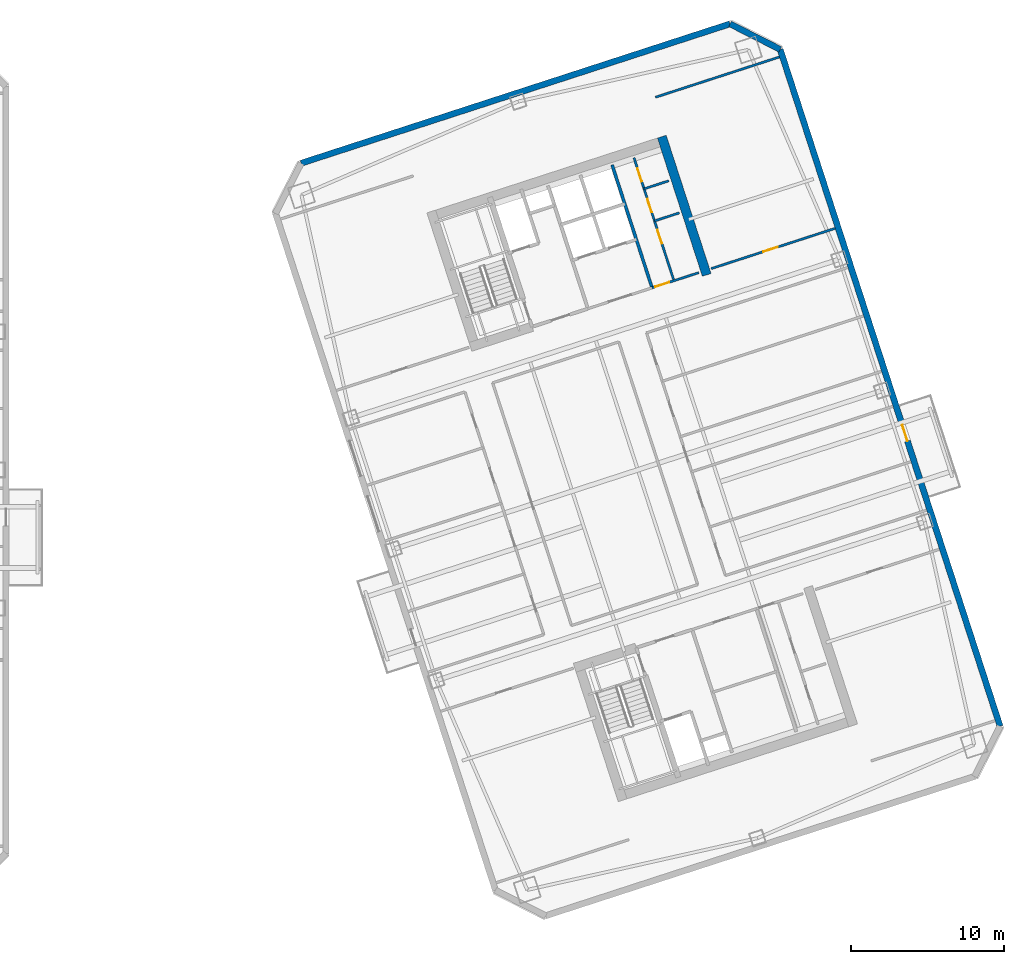
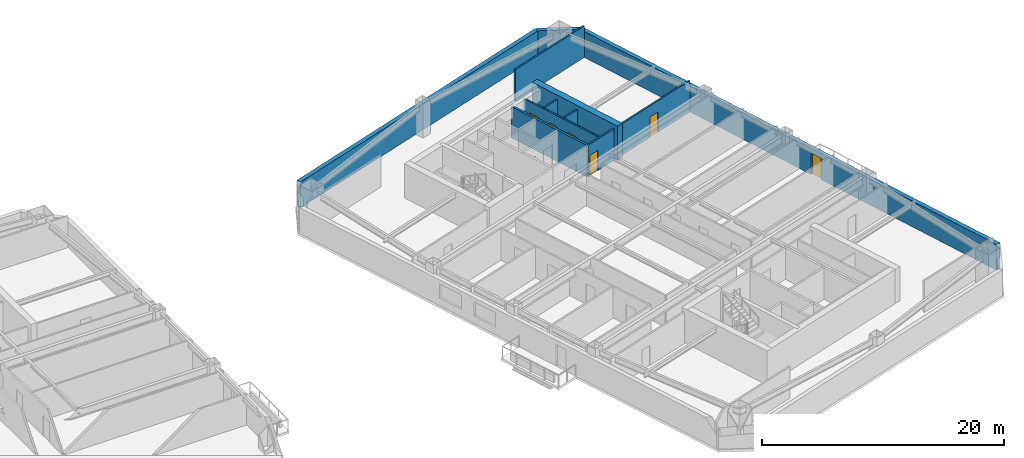
# One storey, part 9 of 14: 11 walls, 6 doors, 6 openings.
"""IFC4 building model written with IfcOpenShell, lengths in metres."""

from ifc_helpers import new_model, si_unit, direction, frame, frame_2d, origin, place, context, subcontext, project, spatial, rectangle, extrude, material, layer, layer_set, type_object, element, fill, save


model = new_model("IFC4")

# Units and contexts
model_context = context("Model", 3, precision=1e-05, world=origin(), true_north=direction((0.0, 1.0)))
body_context = subcontext(model_context, "Body", "Model", "MODEL_VIEW")
ifc_project = project(units=[si_unit("LENGTHUNIT", "METRE"), si_unit("AREAUNIT", "SQUARE_METRE"), si_unit("VOLUMEUNIT", "CUBIC_METRE"), si_unit("PLANEANGLEUNIT", "RADIAN"), si_unit("MASSUNIT", "GRAM", prefix="KILO")], contexts=[model_context])

# Site, building, storey
site_placement = place(None, origin())
site = spatial("IfcSite", under=ifc_project, at=site_placement, CompositionType="ELEMENT")
building_placement = place(site_placement, origin())
building = spatial("IfcBuilding", under=site, at=building_placement, Name="Qiaolan Cultural Towers", CompositionType="ELEMENT")
storey_placement = place(building_placement, frame((0.0, 0.0, 103.5)))
storey = spatial("IfcBuildingStorey", under=building, at=storey_placement, Name="L26", CompositionType="ELEMENT", Elevation=103.5)

# Walls
ifc_material_1 = material(Name="Concrete C55", Category="concrete")
ifc_layer_1 = layer(ifc_material_1, 0.60009765625)
ifc_layer_set_1 = layer_set([ifc_layer_1], Name="Concrete C55")
wall_type_1 = type_object("IfcWallType", Name="WL-CORE-600", PredefinedType="SHEAR", material=ifc_layer_set_1)
wall_1_placement = place(storey_placement, frame((94.4921875, 46.710205078125, 0.0), z_axis=(0.0, 0.0, 1.0), x_axis=(-0.309010370028, 0.95105866865, 0.0)))
element("IfcWall", 1, at=wall_1_placement, inside=storey, type_object=wall_type_1, Name="L26 T2-CN East Core Shear Wall", PredefinedType="SHEAR", context=body_context, shape_type="SweptSolid", body=[
    extrude(rectangle(XDim=9.47998046875, YDim=0.60009765625, at=frame_2d((4.739990234375, 0.0))), origin(), (0.0, 0.0, 1.0), 3.449951171875),
])
ifc_material_2 = material(Name="Precast Concrete C50 Honed Stone Pier", Category="masonry")
ifc_layer_2 = layer(ifc_material_2, 0.39990234375)
ifc_layer_set_2 = layer_set([ifc_layer_2], Name="Precast Concrete C50 Honed Stone Pier")
wall_type_2 = type_object("IfcWallType", Name="WL-EXT-PIER-400", PredefinedType="SOLIDWALL", material=ifc_layer_set_2)
wall_2_placement = place(storey_placement, frame((68.046875, 53.99462890625, 0.0), z_axis=(0.0, 0.0, 1.0), x_axis=(0.95105505922, 0.309021478754, 0.0)))
element("IfcWall", 2, at=wall_2_placement, inside=storey, type_object=wall_type_2, Name="L26 East Tower Precast Pier Facade Wall F3", PredefinedType="SOLIDWALL", context=body_context, shape_type="SweptSolid", body=[
    extrude(rectangle(XDim=29.39990234375, YDim=0.39990234375, at=frame_2d((14.699951171875, 0.0))), origin(), (0.0, 0.0, 1.0), 2.610107421875),
])
wall_3_placement = place(storey_placement, frame((96.0078125, 63.079833984375, 0.0), z_axis=(0.0, 0.0, 1.0), x_axis=(0.891001999643, -0.45399937955, 0.0)))
element("IfcWall", 3, at=wall_3_placement, inside=storey, type_object=wall_type_2, Name="L26 East Tower Precast Pier Facade Wall F4", PredefinedType="SOLIDWALL", context=body_context, shape_type="SweptSolid", body=[
    extrude(rectangle(XDim=3.67724609375, YDim=0.39990234375, at=frame_2d((1.838623046875, 0.0))), origin(), (0.0, 0.0, 1.0), 2.610107421875),
])

# Wall, opening, door
wall_4_placement = place(storey_placement, frame((99.2841796875, 61.410400390625, 0.0), z_axis=(0.0, 0.0, 1.0), x_axis=(0.309017542002, -0.95105633836, 0.0)))
wall_4 = element("IfcWall", 4, at=wall_4_placement, inside=storey, type_object=wall_type_2, Name="L26 East Tower Precast Pier Facade Wall F5", PredefinedType="SOLIDWALL", context=body_context, shape_type="SweptSolid", body=[
    extrude(rectangle(XDim=46.39990234375, YDim=0.39990234375, at=frame_2d((23.199951171875, 0.0))), origin(), (0.0, 0.0, 1.0), 2.610107421875),
])
opening_1_placement = place(wall_4_placement, frame((25.74609375, 0.0, 0.0)))
opening_1 = element("IfcOpeningElement", 5, at=opening_1_placement, cuts=wall_4, Name="Opening BD-01", PredefinedType="OPENING", context=body_context, shape_type="SweptSolid", body=[
    extrude(rectangle(XDim=1.10009765625, YDim=2.14990234375, at=frame_2d((0.550048828125, 1.074951171875))), frame((0.0, 0.2099609375, 0.0), z_axis=(0.0, -1.0, 0.0), x_axis=(1.0, 0.0, 0.0)), (0.0, 0.0, 1.0), 0.419921875),
])
ifc_material_3 = material(Name="Thermally Broken Aluminium Glazed Terrace Door", Category="aluminium")
door_type_1 = type_object("IfcDoorType", Name="DR-BAL-1100", OperationType="NOTDEFINED", PredefinedType="DOOR", material=ifc_material_3)
door_1_placement = place(opening_1_placement, origin())
door_1 = element("IfcDoor", 6, at=door_1_placement, inside=storey, type_object=door_type_1, Name="L26 T2 East Tree Balcony Door", OperationType="SINGLE_SWING_RIGHT", OverallHeight=2.14990234375, OverallWidth=1.10009765625, PredefinedType="DOOR", context=body_context, shape_type="SweptSolid", body=[
    extrude(rectangle(XDim=1.10009765625, YDim=2.14990234375, at=frame_2d((0.550048828125, 1.074951171875))), frame((0.0, 0.02490234375, 0.0), z_axis=(0.0, -1.0, 0.0), x_axis=(1.0, 0.0, 0.0)), (0.0, 0.0, 1.0), 0.050048828125),
])
fill(opening_1, door_1)

# Wall
ifc_material_4 = material(Name="Concrete C35 Fire Wall", Category="concrete")
ifc_layer_3 = layer(ifc_material_4, 0.199951171875)
ifc_layer_set_3 = layer_set([ifc_layer_3], Name="Concrete C35 Fire Wall")
wall_type_3 = type_object("IfcWallType", Name="WL-FIRE-200", PredefinedType="PARTITIONING", material=ifc_layer_set_3)
wall_5_placement = place(storey_placement, frame((90.92822265625, 45.86767578125, 0.0), z_axis=(0.0, 0.0, 1.0), x_axis=(-0.309042196757, 0.951048327176, 0.0)))
element("IfcWall", 7, at=wall_5_placement, inside=storey, type_object=wall_type_3, Name="L26 T2-CN Lift Core East Wall", PredefinedType="PARTITIONING", context=body_context, shape_type="SweptSolid", body=[
    extrude(rectangle(XDim=8.429931640625, YDim=0.199951171875, at=frame_2d((4.21484375, 0.0))), origin(), (0.0, 0.0, 1.0), 3.175048828125),
])

# Wall, opening, door
ifc_material_5 = material(Name="Autoclaved Aerated Concrete Block B06", Category="concrete")
ifc_layer_4 = layer(ifc_material_5, 0.14990234375)
ifc_layer_set_4 = layer_set([ifc_layer_4], Name="Autoclaved Aerated Concrete Block B06")
wall_type_4 = type_object("IfcWallType", Name="WL-PART-150", PredefinedType="PARTITIONING", material=ifc_layer_set_4)
wall_6_placement = place(storey_placement, frame((90.92822265625, 45.86767578125, 0.0), z_axis=(0.0, 0.0, 1.0), x_axis=(0.951059297078, 0.309008435874, 0.0)))
wall_6 = element("IfcWall", 8, at=wall_6_placement, inside=storey, type_object=wall_type_4, Name="L26 T2-CN Sanitary Core Front Wall", PredefinedType="PARTITIONING", context=body_context, shape_type="SweptSolid", body=[
    extrude(rectangle(XDim=3.19970703125, YDim=0.14990234375, at=frame_2d((1.599853515625, 0.0))), origin(), (0.0, 0.0, 1.0), 3.175048828125),
])
opening_2_placement = place(wall_6_placement, frame((0.219970703125, 0.0, 0.0)))
opening_2 = element("IfcOpeningElement", 9, at=opening_2_placement, cuts=wall_6, Name="Opening ID-05", PredefinedType="OPENING", context=body_context, shape_type="SweptSolid", body=[
    extrude(rectangle(XDim=0.949951171875, YDim=2.050048828125, at=frame_2d((0.47509765625, 1.02490234375))), frame((0.0, 0.0849609375, 0.0), z_axis=(0.0, -1.0, 0.0), x_axis=(1.0, 0.0, 0.0)), (0.0, 0.0, 1.0), 0.169921875),
])
ifc_material_6 = material(Name="Fire-Rated Laminate Accessible Core Door", Category="timber")
door_type_2 = type_object("IfcDoorType", Name="DR-INT-950", OperationType="NOTDEFINED", PredefinedType="DOOR", material=ifc_material_6)
door_2_placement = place(opening_2_placement, origin())
door_2 = element("IfcDoor", 10, at=door_2_placement, inside=storey, type_object=door_type_2, Name="L26 Sanitary Vestibule Door", OperationType="SINGLE_SWING_LEFT", OverallHeight=2.050048828125, OverallWidth=0.949951171875, PredefinedType="DOOR", context=body_context, shape_type="SweptSolid", body=[
    extrude(rectangle(XDim=0.949951171875, YDim=2.050048828125, at=frame_2d((0.47509765625, 1.02490234375))), frame((0.0, 0.02490234375, 0.0), z_axis=(0.0, -1.0, 0.0), x_axis=(1.0, 0.0, 0.0)), (0.0, 0.0, 1.0), 0.050048828125),
])
fill(opening_2, door_2)

# Wall, openings, doors
wall_7_placement = place(storey_placement, frame((92.354736328125, 46.3310546875, 0.0), z_axis=(0.0, 0.0, 1.0), x_axis=(-0.309007490203, 0.951059604335, 0.0)))
wall_7 = element("IfcWall", 11, at=wall_7_placement, inside=storey, type_object=wall_type_4, Name="L26 T2-CN Sanitary Vestibule Wall", PredefinedType="PARTITIONING", context=body_context, shape_type="SweptSolid", body=[
    extrude(rectangle(XDim=8.43017578125, YDim=0.14990234375, at=frame_2d((4.215087890625, 0.0))), origin(), (0.0, 0.0, 1.0), 3.175048828125),
])
opening_3_placement = place(wall_7_placement, frame((2.550048828125, 0.0, 0.0)))
opening_3 = element("IfcOpeningElement", 12, at=opening_3_placement, cuts=wall_7, Name="Opening ID-05", PredefinedType="OPENING", context=body_context, shape_type="SweptSolid", body=[
    extrude(rectangle(XDim=0.949951171875, YDim=2.050048828125, at=frame_2d((0.47509765625, 1.02490234375))), frame((0.0, 0.0849609375, 0.0), z_axis=(0.0, -1.0, 0.0), x_axis=(1.0, 0.0, 0.0)), (0.0, 0.0, 1.0), 0.169921875),
])
opening_4_placement = place(wall_7_placement, frame((4.699951171875, 0.0, 0.0)))
opening_4 = element("IfcOpeningElement", 13, at=opening_4_placement, cuts=wall_7, Name="Opening ID-06", PredefinedType="OPENING", context=body_context, shape_type="SweptSolid", body=[
    extrude(rectangle(XDim=0.89990234375, YDim=2.050048828125, at=frame_2d((0.449951171875, 1.02490234375))), frame((0.0, 0.0849609375, 0.0), z_axis=(0.0, -1.0, 0.0), x_axis=(1.0, 0.0, 0.0)), (0.0, 0.0, 1.0), 0.169921875),
])
opening_5_placement = place(wall_7_placement, frame((6.800048828125, 0.0, 0.0)))
opening_5 = element("IfcOpeningElement", 14, at=opening_5_placement, cuts=wall_7, Name="Opening ID-06", PredefinedType="OPENING", context=body_context, shape_type="SweptSolid", body=[
    extrude(rectangle(XDim=0.89990234375, YDim=2.050048828125, at=frame_2d((0.449951171875, 1.02490234375))), frame((0.0, 0.0849609375, 0.0), z_axis=(0.0, -1.0, 0.0), x_axis=(1.0, 0.0, 0.0)), (0.0, 0.0, 1.0), 0.169921875),
])
ifc_material_7 = material(Name="Fire-Rated Laminate Core Service Door", Category="timber")
door_type_3 = type_object("IfcDoorType", Name="DR-INT-900", OperationType="NOTDEFINED", PredefinedType="DOOR", material=ifc_material_7)
door_3_placement = place(opening_4_placement, origin())
door_3 = element("IfcDoor", 15, at=door_3_placement, inside=storey, type_object=door_type_3, Name="L26 Men Washroom Door", OperationType="SINGLE_SWING_LEFT", OverallHeight=2.050048828125, OverallWidth=0.89990234375, PredefinedType="DOOR", context=body_context, shape_type="SweptSolid", body=[
    extrude(rectangle(XDim=0.89990234375, YDim=2.050048828125, at=frame_2d((0.449951171875, 1.02490234375))), frame((0.0, 0.02490234375, 0.0), z_axis=(0.0, -1.0, 0.0), x_axis=(1.0, 0.0, 0.0)), (0.0, 0.0, 1.0), 0.050048828125),
])
fill(opening_4, door_3)
door_4_placement = place(opening_5_placement, origin())
door_4 = element("IfcDoor", 16, at=door_4_placement, inside=storey, type_object=door_type_3, Name="L26 Women Washroom Door", OperationType="SINGLE_SWING_RIGHT", OverallHeight=2.050048828125, OverallWidth=0.89990234375, PredefinedType="DOOR", context=body_context, shape_type="SweptSolid", body=[
    extrude(rectangle(XDim=0.89990234375, YDim=2.050048828125, at=frame_2d((0.449951171875, 1.02490234375))), frame((0.0, 0.02490234375, 0.0), z_axis=(0.0, -1.0, 0.0), x_axis=(1.0, 0.0, 0.0)), (0.0, 0.0, 1.0), 0.050048828125),
])
fill(opening_5, door_4)
door_5_placement = place(opening_3_placement, origin())
door_5 = element("IfcDoor", 17, at=door_5_placement, inside=storey, type_object=door_type_2, Name="L26 Accessible Family Washroom Door", OperationType="SINGLE_SWING_LEFT", OverallHeight=2.050048828125, OverallWidth=0.949951171875, PredefinedType="DOOR", context=body_context, shape_type="SweptSolid", body=[
    extrude(rectangle(XDim=0.949951171875, YDim=2.050048828125, at=frame_2d((0.47509765625, 1.02490234375))), frame((0.0, 0.02490234375, 0.0), z_axis=(0.0, -1.0, 0.0), x_axis=(1.0, 0.0, 0.0)), (0.0, 0.0, 1.0), 0.050048828125),
])
fill(opening_3, door_5)

# Walls
wall_8_placement = place(storey_placement, frame((91.087646484375, 50.23046875, 0.0), z_axis=(0.0, 0.0, 1.0), x_axis=(0.951054116971, 0.309024378638, 0.0)))
element("IfcWall", 18, at=wall_8_placement, inside=storey, type_object=wall_type_4, Name="L26 T2-CN Restroom Split Wall 1", PredefinedType="PARTITIONING", context=body_context, shape_type="SweptSolid", body=[
    extrude(rectangle(XDim=1.7001953125, YDim=0.14990234375, at=frame_2d((0.85009765625, 0.0))), origin(), (0.0, 0.0, 1.0), 3.175048828125),
])
wall_9_placement = place(storey_placement, frame((90.407958984375, 52.32275390625, 0.0), z_axis=(0.0, 0.0, 1.0), x_axis=(0.951040401051, 0.309066587596, 0.0)))
element("IfcWall", 19, at=wall_9_placement, inside=storey, type_object=wall_type_4, Name="L26 T2-CN Restroom Split Wall 2", PredefinedType="PARTITIONING", context=body_context, shape_type="SweptSolid", body=[
    extrude(rectangle(XDim=1.699951171875, YDim=0.14990234375, at=frame_2d((0.85009765625, 0.0))), origin(), (0.0, 0.0, 1.0), 3.175048828125),
])
wall_10_placement = place(storey_placement, frame((91.14892578125, 58.294189453125, 0.0), z_axis=(0.0, 0.0, 1.0), x_axis=(0.951062770994, 0.308997743729, 0.0)))
element("IfcWall", 20, at=wall_10_placement, inside=storey, type_object=wall_type_4, Name="L26 T2 Flank Wall FLK-NE", PredefinedType="PARTITIONING", context=body_context, shape_type="SweptSolid", body=[
    extrude(rectangle(XDim=8.5, YDim=0.14990234375, at=frame_2d((4.25, 0.0))), origin(), (0.0, 0.0, 1.0), 3.175048828125),
])

# Wall, opening, door
wall_11_placement = place(storey_placement, frame((94.77978515625, 47.119140625, 0.0), z_axis=(0.0, 0.0, 1.0), x_axis=(0.951054329824, 0.309023723562, 0.0)))
wall_11 = element("IfcWall", 21, at=wall_11_placement, inside=storey, type_object=wall_type_4, Name="L26 T2 Flank Front FLK-NE", PredefinedType="PARTITIONING", context=body_context, shape_type="SweptSolid", body=[
    extrude(rectangle(XDim=8.5, YDim=0.14990234375, at=frame_2d((4.25, 0.0))), origin(), (0.0, 0.0, 1.0), 3.175048828125),
])
opening_6_placement = place(wall_11_placement, frame((3.570068359375, 0.0, 0.0)))
opening_6 = element("IfcOpeningElement", 22, at=opening_6_placement, cuts=wall_11, Name="Opening ID-04", PredefinedType="OPENING", context=body_context, shape_type="SweptSolid", body=[
    extrude(rectangle(XDim=1.0, YDim=2.050048828125, at=frame_2d((0.5, 1.02490234375))), frame((0.0, 0.0849609375, 0.0), z_axis=(0.0, -1.0, 0.0), x_axis=(1.0, 0.0, 0.0)), (0.0, 0.0, 1.0), 0.169921875),
])
ifc_material_8 = material(Name="Oak Veneer Acoustic Office Door", Category="timber")
door_type_4 = type_object("IfcDoorType", Name="DR-INT-1000", OperationType="NOTDEFINED", PredefinedType="DOOR", material=ifc_material_8)
door_6_placement = place(opening_6_placement, origin())
door_6 = element("IfcDoor", 23, at=door_6_placement, inside=storey, type_object=door_type_4, Name="L26 T2 Corner Studio Door", OperationType="SINGLE_SWING_LEFT", OverallHeight=2.050048828125, OverallWidth=1.0, PredefinedType="DOOR", context=body_context, shape_type="SweptSolid", body=[
    extrude(rectangle(XDim=1.0, YDim=2.050048828125, at=frame_2d((0.5, 1.02490234375))), frame((0.0, 0.02490234375, 0.0), z_axis=(0.0, -1.0, 0.0), x_axis=(1.0, 0.0, 0.0)), (0.0, 0.0, 1.0), 0.050048828125),
])
fill(opening_6, door_6)

save(model, "model.ifc")
